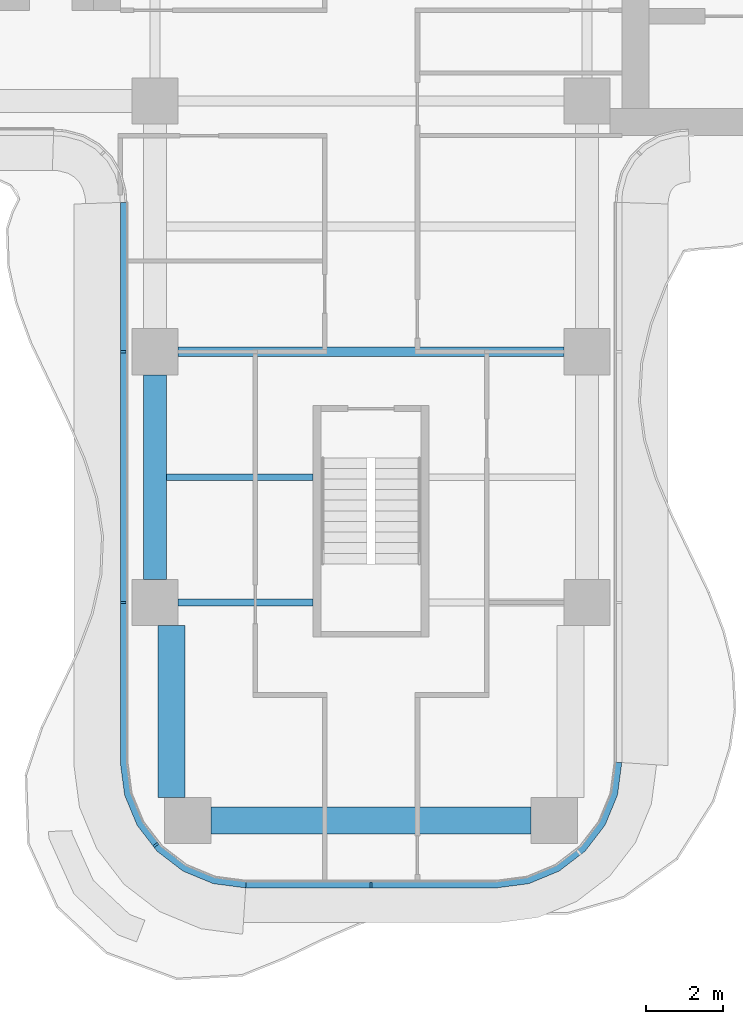
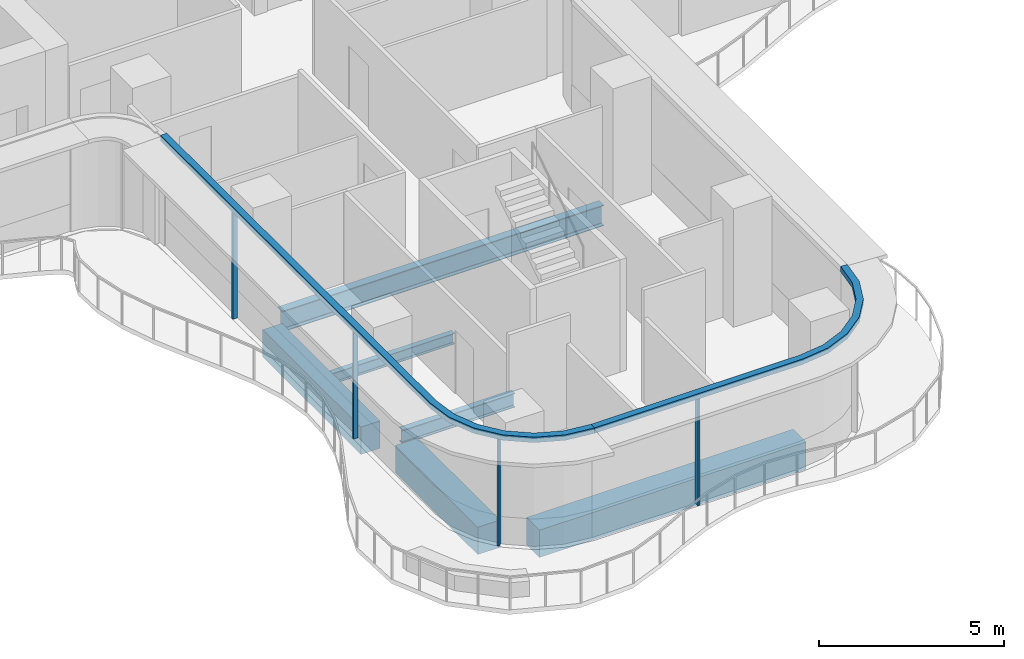
# One storey, part 2 of 17: 6 beams, 6 members, 2 elements without a shape of their own.
"""IFC4 building model written with IfcOpenShell, lengths in metres."""

from ifc_helpers import new_model, si_unit, direction, frame, origin, origin_2d, place, context, subcontext, project, spatial, polyline, rectangle, i_section, outline, extrude, source, transform, mapped, material, layer, layer_set, material_profile, profile_set, type_object, element, aggregate, save


model = new_model("IFC4")

# Units and contexts
model_context = context("Model", 3, precision=1e-05, world=origin(), true_north=direction((0.0, 1.0)))
body_context = subcontext(model_context, "Body", "Model", "MODEL_VIEW")
ifc_project = project(units=[si_unit("LENGTHUNIT", "METRE"), si_unit("AREAUNIT", "SQUARE_METRE"), si_unit("VOLUMEUNIT", "CUBIC_METRE"), si_unit("PLANEANGLEUNIT", "RADIAN"), si_unit("MASSUNIT", "GRAM", prefix="KILO")], contexts=[model_context])

# Site, building, storey
site_placement = place(None, origin())
site = spatial("IfcSite", under=ifc_project, at=site_placement, CompositionType="ELEMENT")
building_placement = place(site_placement, origin())
building = spatial("IfcBuilding", under=site, at=building_placement, Name="Trellis Farm Tower", CompositionType="ELEMENT")
storey_placement = place(building_placement, frame((0.0, 0.0, 173.699951171875)))
storey = spatial("IfcBuildingStorey", under=building, at=storey_placement, Name="L37", CompositionType="ELEMENT", Elevation=173.699951171875)

# Beams
ifc_material_1 = material(Name="Steel S355", Category="steel")
ifc_material_profile_1 = material_profile(ifc_material_1, i_section(OverallWidth=0.1904296875, OverallDepth=0.45703125, WebThickness=0.009033203125, FlangeThickness=0.014404296875, FilletRadius=0.01025390625, at=origin_2d()), Name="UB 457x191x74")
ifc_profile_set_1 = profile_set([ifc_material_profile_1], Name="Steel S355")
beam_type_1 = type_object("IfcBeamType", Name="UB 457x191x74", PredefinedType="BEAM", material=ifc_profile_set_1)
shared_shape_1 = source(origin(), body_context, "Body", "SweptSolid", [
    extrude(i_section(OverallWidth=0.1904296875, OverallDepth=0.45703125, WebThickness=0.009033203125, FlangeThickness=0.014404296875, FilletRadius=0.01025390625, at=origin_2d()), origin(), (0.0, 0.0, 1.0), 3.5),
])
beam_1_placement = place(storey_placement, frame((-5.0, -18.60009765625, -0.428466796875), z_axis=(1.0, 0.0, 0.0), x_axis=(0.0, 1.0, 0.0)))
element("IfcBeam", 1, at=beam_1_placement, inside=storey, type_object=beam_type_1, Name="Girder", PredefinedType="BEAM", context=body_context, shape_type="MappedRepresentation", body=[
    mapped(shared_shape_1, transform((0.0, 0.0, 0.0))),
])
ifc_material_2 = material(Name="Concrete C60/75", Category="concrete")
ifc_material_profile_2 = material_profile(ifc_material_2, rectangle(XDim=0.60009765625, YDim=0.89990234375, at=origin_2d()), Name="RC spandrel beam 600x900 C60/75")
ifc_profile_set_2 = profile_set([ifc_material_profile_2], Name="Concrete C60/75")
beam_type_2 = type_object("IfcBeamType", Name="RC spandrel beam 600x900 C60/75", PredefinedType="SPANDREL", material=ifc_profile_set_2)
shared_shape_2 = source(origin(), body_context, "Body", "SweptSolid", [
    extrude(rectangle(XDim=0.60009765625, YDim=0.89990234375, at=origin_2d()), origin(), (0.0, 0.0, 1.0), 5.300048828125),
])
beam_2_placement = place(storey_placement, frame((-5.60009765625, -18.0, -0.64990234375), z_axis=(0.0, 1.0, 0.0), x_axis=(-1.0, 0.0, 0.0)))
element("IfcBeam", 2, at=beam_2_placement, inside=storey, type_object=beam_type_2, Name="Girder", PredefinedType="SPANDREL", context=body_context, shape_type="MappedRepresentation", body=[
    mapped(shared_shape_2, transform((0.0, 0.0, 0.0))),
])
ifc_material_profile_3 = material_profile(ifc_material_1, i_section(OverallWidth=0.253662109375, OverallDepth=0.68359375, WebThickness=0.012451171875, FlangeThickness=0.021728515625, FilletRadius=0.01513671875, at=origin_2d()), Name="UB 686x254x140")
ifc_profile_set_3 = profile_set([ifc_material_profile_3], Name="Steel S355")
beam_type_3 = type_object("IfcBeamType", Name="UB 686x254x140", PredefinedType="BEAM", material=ifc_profile_set_3)
shared_shape_3 = source(origin(), body_context, "Body", "SweptSolid", [
    extrude(i_section(OverallWidth=0.253662109375, OverallDepth=0.68359375, WebThickness=0.012451171875, FlangeThickness=0.021728515625, FilletRadius=0.01513671875, at=origin_2d()), origin(), (0.0, 0.0, 1.0), 10.0),
])
beam_3_placement = place(storey_placement, frame((-5.0, -12.10009765625, -0.541748046875), z_axis=(1.0, 0.0, 0.0), x_axis=(0.0, 1.0, 0.0)))
element("IfcBeam", 3, at=beam_3_placement, inside=storey, type_object=beam_type_3, Name="Girder", PredefinedType="BEAM", context=body_context, shape_type="MappedRepresentation", body=[
    mapped(shared_shape_3, transform((0.0, 0.0, 0.0))),
])
ifc_material_profile_4 = material_profile(ifc_material_2, rectangle(XDim=0.699951171875, YDim=0.89990234375, at=origin_2d()), Name="RC spandrel beam 700x900 C60/75")
ifc_profile_set_4 = profile_set([ifc_material_profile_4], Name="Concrete C60/75")
beam_type_4 = type_object("IfcBeamType", Name="RC spandrel beam 700x900 C60/75", PredefinedType="SPANDREL", material=ifc_profile_set_4)
shared_shape_4 = source(origin(), body_context, "Body", "SweptSolid", [
    extrude(rectangle(XDim=0.699951171875, YDim=0.89990234375, at=origin_2d()), origin(), (0.0, 0.0, 1.0), 8.2998046875),
])
beam_4_placement = place(storey_placement, frame((-4.14990234375, -24.25, -0.64990234375), z_axis=(1.0, 0.0, 0.0), x_axis=(0.0, 1.0, 0.0)))
element("IfcBeam", 4, at=beam_4_placement, inside=storey, type_object=beam_type_4, Name="Girder", PredefinedType="SPANDREL", context=body_context, shape_type="MappedRepresentation", body=[
    mapped(shared_shape_4, transform((0.0, 0.0, 0.0))),
])
shared_shape_5 = source(origin(), body_context, "Body", "SweptSolid", [
    extrude(rectangle(XDim=0.699951171875, YDim=0.89990234375, at=origin_2d()), origin(), (0.0, 0.0, 1.0), 4.449951171875),
])
beam_5_placement = place(storey_placement, frame((-5.175048828125, -23.64990234375, -0.64990234375), z_axis=(0.0, 1.0, 0.0), x_axis=(-1.0, 0.0, 0.0)))
element("IfcBeam", 5, at=beam_5_placement, inside=storey, type_object=beam_type_4, Name="Girder", PredefinedType="SPANDREL", context=body_context, shape_type="MappedRepresentation", body=[
    mapped(shared_shape_5, transform((0.0, 0.0, 0.0))),
])
ifc_material_profile_5 = material_profile(ifc_material_1, i_section(OverallWidth=0.17138671875, OverallDepth=0.35498046875, WebThickness=0.00732421875, FlangeThickness=0.011474609375, FilletRadius=0.01025390625, at=origin_2d()), Name="UB 356x171x51")
ifc_profile_set_5 = profile_set([ifc_material_profile_5], Name="Steel S355")
beam_type_5 = type_object("IfcBeamType", Name="UB 356x171x51 joist", PredefinedType="JOIST", material=ifc_profile_set_5)
shared_shape_6 = source(origin(), body_context, "Body", "SweptSolid", [
    extrude(i_section(OverallWidth=0.17138671875, OverallDepth=0.35498046875, WebThickness=0.00732421875, FlangeThickness=0.011474609375, FilletRadius=0.01025390625, at=origin_2d()), origin(), (0.0, 0.0, 1.0), 3.800048828125),
])
beam_6_placement = place(storey_placement, frame((-5.300048828125, -15.35009765625, -0.37744140625), z_axis=(1.0, 0.0, 0.0), x_axis=(0.0, 1.0, 0.0)))
element("IfcBeam", 6, at=beam_6_placement, inside=storey, type_object=beam_type_5, Name="Floor beam", PredefinedType="JOIST", context=body_context, shape_type="MappedRepresentation", body=[
    mapped(shared_shape_6, transform((0.0, 0.0, 0.0))),
])

# Curtain wall, member
ifc_material_3 = material(Name="Aluminium and glass curtain wall", Category="aluminium")
ifc_layer_1 = layer(ifc_material_3, 0.18994140625)
ifc_layer_set_1 = layer_set([ifc_layer_1], Name="RIBBON CURTAIN WALL CW1")
curtain_wall_type = type_object("IfcCurtainWallType", Name="RIBBON CURTAIN WALL CW1", PredefinedType="NOTDEFINED", material=ifc_layer_set_1)
placement_1 = place(storey_placement, origin())
curtain_wall_1 = element("IfcCurtainWall", 7, at=placement_1, inside=storey, type_object=curtain_wall_type, Name="CW1 002", PredefinedType="NOTDEFINED")
ifc_material_4 = material(Name="Aluminium extrusion 6063-T6", Category="aluminium")
ifc_layer_2 = layer(ifc_material_4, 0.199951171875)
ifc_layer_set_2 = layer_set([ifc_layer_2], Name="Aluminium extrusion 6063-T6")
member_type_1 = type_object("IfcMemberType", Name="CW1 TRANSOM 200x180", PredefinedType="USERDEFINED", material=ifc_layer_set_2)
shared_shape_7 = source(origin(), body_context, "Body", "SweptSolid", [
    extrude(outline(polyline([(-6.5, -8.2314453125), (-6.5, -22.75), (-6.38916015625, -23.591064453125), (-6.064697265625, -24.375), (-5.548095703125, -25.048095703125), (-4.875, -25.564697265625), (-4.091064453125, -25.88916015625), (-3.25, -26.0), (-3.23681640625, -25.800048828125), (-4.0390625, -25.6943359375), (-4.774169921875, -25.389892578125), (-5.405517578125, -24.905517578125), (-5.889892578125, -24.274169921875), (-6.1943359375, -23.5390625), (-6.300048828125, -22.73681640625), (-6.300048828125, -8.224853515625), (-6.5, -8.2314453125)])), origin(), (0.0, 0.0, 1.0), 0.179931640625),
])
placement_2 = place(storey_placement, frame((0.0, 0.0, 3.52001953125)))
member_1 = element("IfcMember", 8, at=placement_2, type_object=member_type_1, Name="TR1 002", ObjectType="TRANSOM", PredefinedType="USERDEFINED", context=body_context, shape_type="MappedRepresentation", body=[
    mapped(shared_shape_7, transform((0.0, 0.0, 0.0))),
])

curtain_wall_2 = element("IfcCurtainWall", 9, at=placement_1, inside=storey, type_object=curtain_wall_type, Name="CW1 003", PredefinedType="NOTDEFINED")
shared_shape_8 = source(origin(), body_context, "Body", "SweptSolid", [
    extrude(outline(polyline([(-3.25, -26.0), (3.25, -26.0), (4.091064453125, -25.88916015625), (4.875, -25.564697265625), (5.548095703125, -25.048095703125), (6.064697265625, -24.375), (6.38916015625, -23.591064453125), (6.5, -22.75), (6.300048828125, -22.73681640625), (6.1943359375, -23.5390625), (5.889892578125, -24.274169921875), (5.405517578125, -24.905517578125), (4.774169921875, -25.389892578125), (4.0390625, -25.6943359375), (3.23681640625, -25.800048828125), (-3.23681640625, -25.800048828125), (-3.25, -26.0)])), origin(), (0.0, 0.0, 1.0), 0.179931640625),
])
member_2 = element("IfcMember", 10, at=placement_2, type_object=member_type_1, Name="TR1 003", ObjectType="TRANSOM", PredefinedType="USERDEFINED", context=body_context, shape_type="MappedRepresentation", body=[
    mapped(shared_shape_8, transform((0.0, 0.0, 0.0))),
])

# Member
ifc_material_profile_6 = material_profile(ifc_material_4, rectangle(XDim=0.06005859375, YDim=0.14990234375, at=origin_2d()), Name="MULLION 60x150")
ifc_profile_set_6 = profile_set([ifc_material_profile_6], Name="Aluminium extrusion 6063-T6")
member_type_2 = type_object("IfcMemberType", Name="CW1 MULLION 60x150", PredefinedType="MULLION", material=ifc_profile_set_6)
shared_shape_9 = source(origin(), body_context, "Body", "SweptSolid", [
    extrude(rectangle(XDim=0.06005859375, YDim=0.14990234375, at=origin_2d()), origin(), (0.0, 0.0, 1.0), 3.52001953125),
])
member_3_placement = place(storey_placement, frame((-6.425048828125, -12.10009765625, 0.0), z_axis=(0.0, 0.0, 1.0), x_axis=(0.0, -1.0, 0.0)))
member_3 = element("IfcMember", 11, at=member_3_placement, type_object=member_type_2, Name="MU1 002-01", PredefinedType="MULLION", context=body_context, shape_type="MappedRepresentation", body=[
    mapped(shared_shape_9, transform((0.0, 0.0, 0.0))),
])

member_4_placement = place(storey_placement, frame((-6.425048828125, -18.60009765625, 0.0), z_axis=(0.0, 0.0, 1.0), x_axis=(0.0, -1.0, 0.0)))
member_4 = element("IfcMember", 12, at=member_4_placement, type_object=member_type_2, Name="MU1 002-02", PredefinedType="MULLION", context=body_context, shape_type="MappedRepresentation", body=[
    mapped(shared_shape_9, transform((0.0, 0.0, 0.0))),
])

member_5_placement = place(storey_placement, frame((-5.578369140625, -24.885498046875, 0.0), z_axis=(0.0, 0.0, 1.0), x_axis=(0.608761429009, -0.793353340291, 0.0)))
member_5 = element("IfcMember", 13, at=member_5_placement, type_object=member_type_2, Name="MU1 002-03", PredefinedType="MULLION", context=body_context, shape_type="MappedRepresentation", body=[
    mapped(shared_shape_9, transform((0.0, 0.0, 0.0))),
])

aggregate(curtain_wall_1, [member_3, member_4, member_5, member_1])

member_6_placement = place(storey_placement, frame((0.0, -25.925048828125, 0.0), z_axis=(0.0, 0.0, 1.0), x_axis=(1.0, 0.0, 0.0)))
member_6 = element("IfcMember", 14, at=member_6_placement, type_object=member_type_2, Name="MU1 003-01", PredefinedType="MULLION", context=body_context, shape_type="MappedRepresentation", body=[
    mapped(shared_shape_9, transform((0.0, 0.0, 0.0))),
])

aggregate(curtain_wall_2, [member_6, member_2])

save(model, "model.ifc")
